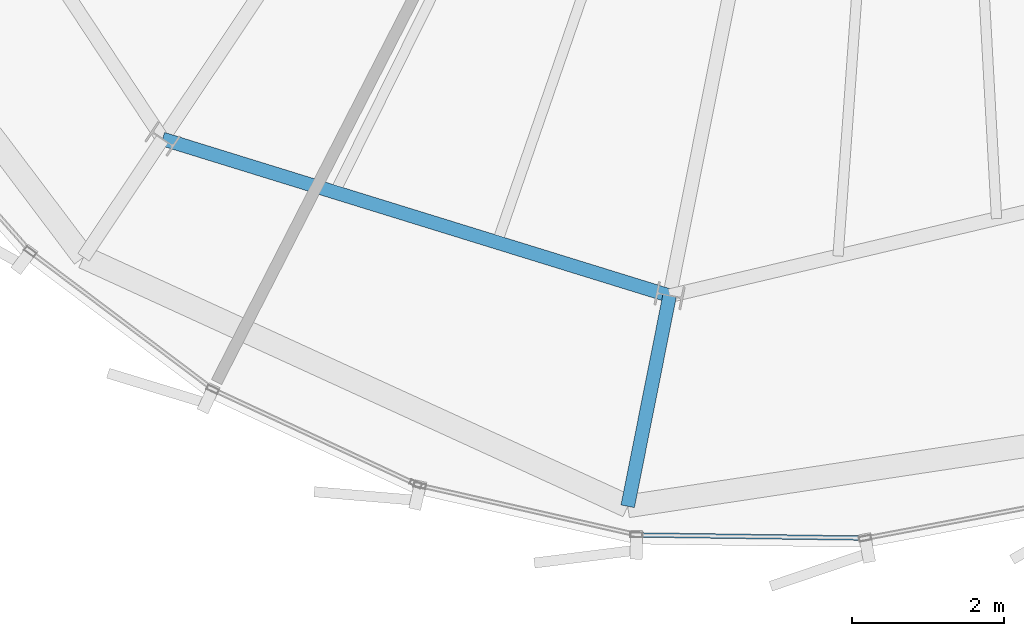
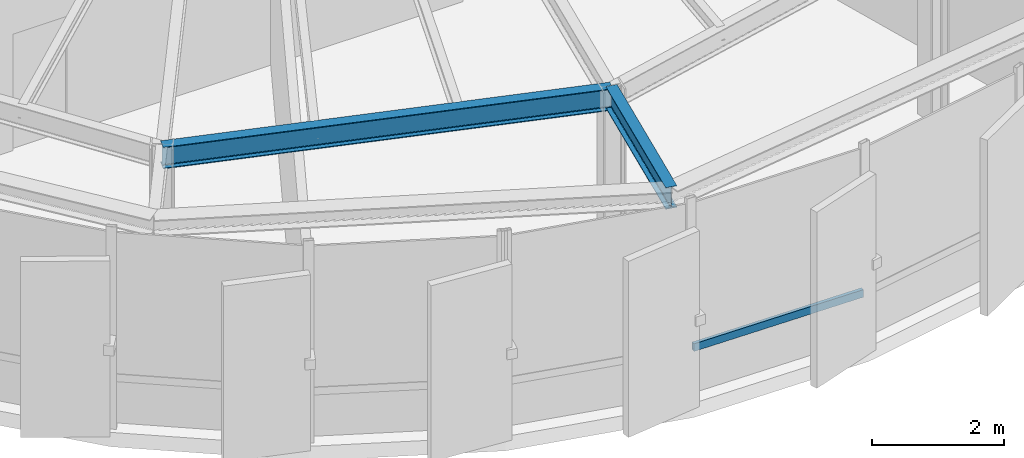
# One storey, part 3 of 26: 2 beams, 1 member, 1 element without a shape of its own.
"""IFC4 building model written with IfcOpenShell, lengths in metres."""

from ifc_helpers import new_model, si_unit, direction, frame, origin, origin_2d, place, context, subcontext, project, spatial, hollow_rectangle, i_section, extrude, source, transform, mapped, material, layer, layer_set, material_profile, profile_set, type_object, element, aggregate, save


model = new_model("IFC4")

# Units and contexts
model_context = context("Model", 3, precision=1e-05, world=origin(), true_north=direction((0.0, 1.0)))
body_context = subcontext(model_context, "Body", "Model", "MODEL_VIEW")
ifc_project = project(units=[si_unit("LENGTHUNIT", "METRE"), si_unit("AREAUNIT", "SQUARE_METRE"), si_unit("VOLUMEUNIT", "CUBIC_METRE"), si_unit("PLANEANGLEUNIT", "RADIAN"), si_unit("MASSUNIT", "GRAM", prefix="KILO"), si_unit("THERMODYNAMICTEMPERATUREUNIT", "KELVIN")], contexts=[model_context])

# Site, building, storey
site_placement = place(None, origin())
site = spatial("IfcSite", under=ifc_project, at=site_placement, CompositionType="ELEMENT")
building_placement = place(site_placement, origin())
building = spatial("IfcBuilding", under=site, at=building_placement, Name="Kethvar Cultural Tower", CompositionType="ELEMENT")
storey_placement = place(building_placement, frame((0.0, 0.0, 320.300048828125)))
storey = spatial("IfcBuildingStorey", under=building, at=storey_placement, Name="L85", CompositionType="ELEMENT", Elevation=320.300048828125)

# Beams
ifc_material_1 = material(Name="Steel S355J2", Category="steel")
ifc_material_profile_1 = material_profile(ifc_material_1, i_section(OverallWidth=0.179931640625, OverallDepth=0.39990234375, WebThickness=0.008544921875, FlangeThickness=0.013427734375, FilletRadius=0.02099609375, at=origin_2d()), Name="Steel S355J2 — IPE400")
ifc_profile_set_1 = profile_set([ifc_material_profile_1], Name="Steel S355J2 — IPE400")
beam_type = type_object("IfcBeamType", Name="BM-IPE400", PredefinedType="BEAM", material=ifc_profile_set_1)
shared_shape_1 = source(origin(), body_context, "Body", "SweptSolid", [
    extrude(i_section(OverallWidth=0.179931640625, OverallDepth=0.39990234375, WebThickness=0.008544921875, FlangeThickness=0.013427734375, FilletRadius=0.02099609375, at=origin_2d()), origin(), (0.0, 0.0, 1.0), 6.97265625),
])
beam_1_placement = place(storey_placement, frame((36.731201171875, 12.73095703125, 3.532958984375), z_axis=(0.955381444404, -0.295374839295, 0.0), x_axis=(0.295374839295, 0.955381444404, 0.0)))
element("IfcBeam", 1, at=beam_1_placement, inside=storey, type_object=beam_type, Name="L85 Column Ring Tie Beam CR-11", PredefinedType="BEAM", context=body_context, shape_type="MappedRepresentation", body=[
    mapped(shared_shape_1, transform((0.0, 0.0, 0.0), scale=1.0)),
])
shared_shape_2 = source(origin(), body_context, "Body", "SweptSolid", [
    extrude(i_section(OverallWidth=0.179931640625, OverallDepth=0.39990234375, WebThickness=0.008544921875, FlangeThickness=0.013427734375, FilletRadius=0.02099609375, at=origin_2d()), origin(), (0.0, 0.0, 1.0), 2.821044921875),
])
beam_2_placement = place(storey_placement, frame((43.392822265625, 10.67138671875, 3.532958984375), z_axis=(-0.195067523437, -0.980789815047, 0.0), x_axis=(0.980789815047, -0.195067523437, 0.0)))
element("IfcBeam", 2, at=beam_2_placement, inside=storey, type_object=beam_type, Name="L85 Perimeter Cantilever Beam RC-12", PredefinedType="BEAM", context=body_context, shape_type="MappedRepresentation", body=[
    mapped(shared_shape_2, transform((0.0, 0.0, 0.0), scale=1.0)),
])

# Curtain wall, member
ifc_material_2 = material(Name="Aluminium 6063-T6", Category="aluminium")
ifc_layer = layer(ifc_material_2, 0.179931640625, Name="Aluminium 6063-T6", Category="aluminium")
ifc_layer_set = layer_set([ifc_layer], Name="Aluminium 6063-T6 (180 mm)")
curtain_wall_type = type_object("IfcCurtainWallType", Name="CW-SYS-06-CROWN", PredefinedType="NOTDEFINED", material=ifc_layer_set)
curtain_wall_placement = place(storey_placement, origin())
curtain_wall = element("IfcCurtainWall", 3, at=curtain_wall_placement, inside=storey, type_object=curtain_wall_type, Name="L85 Curtain Wall Run 04", PredefinedType="NOTDEFINED")
ifc_material_profile_2 = material_profile(ifc_material_2, hollow_rectangle(XDim=0.06005859375, YDim=0.139892578125, WallThickness=0.0048828125, at=origin_2d()), Name="Aluminium 6063-T6 — RHS140x60x5")
ifc_profile_set_2 = profile_set([ifc_material_profile_2], Name="Aluminium 6063-T6 — RHS140x60x5")
member_type = type_object("IfcMemberType", Name="CW-SYS-06-CROWN-TRN", PredefinedType="USERDEFINED", material=ifc_profile_set_2)
shared_shape_3 = source(origin(), body_context, "Body", "SweptSolid", [
    extrude(hollow_rectangle(XDim=0.06005859375, YDim=0.139892578125, WallThickness=0.0048828125, at=origin_2d()), origin(), (0.0, 0.0, 1.0), 2.934814453125),
])
member_placement = place(storey_placement, frame((43.004638671875, 7.52783203125, 0.949951171875), z_axis=(0.99990234016, -0.013975340528, 0.0), x_axis=(0.013975340528, 0.99990234016, 0.0)))
member = element("IfcMember", 4, at=member_placement, type_object=member_type, Name="CW-L85-R04 Transom 2", ObjectType="TRANSOM", PredefinedType="USERDEFINED", context=body_context, shape_type="MappedRepresentation", body=[
    mapped(shared_shape_3, transform((0.0, 0.0, 0.0), scale=1.0)),
])
aggregate(curtain_wall, [member])

save(model, "model.ifc")
